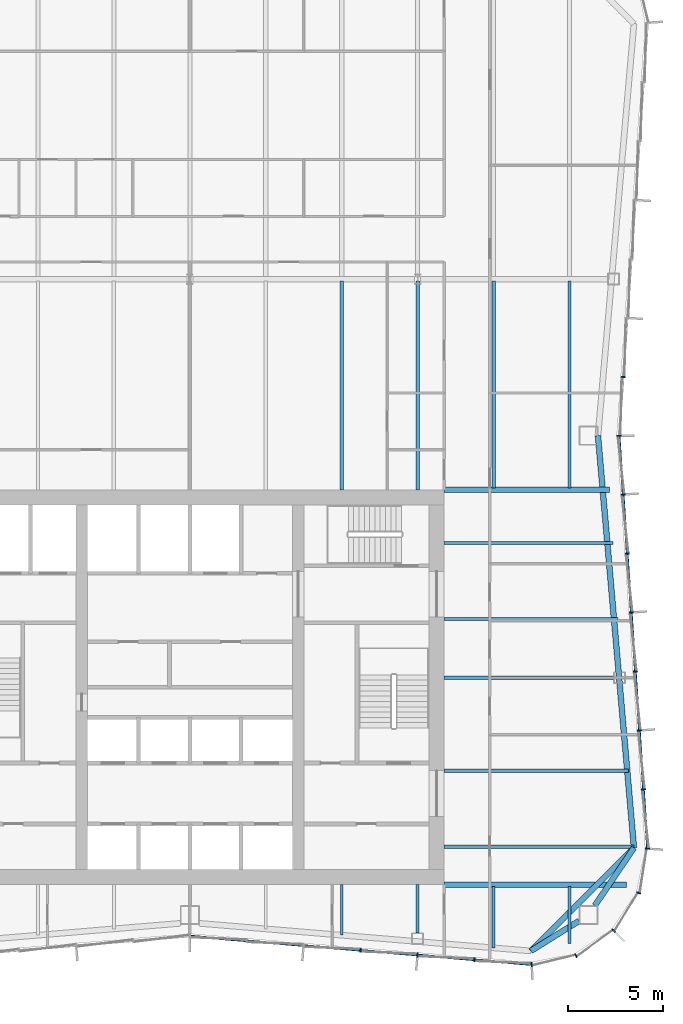
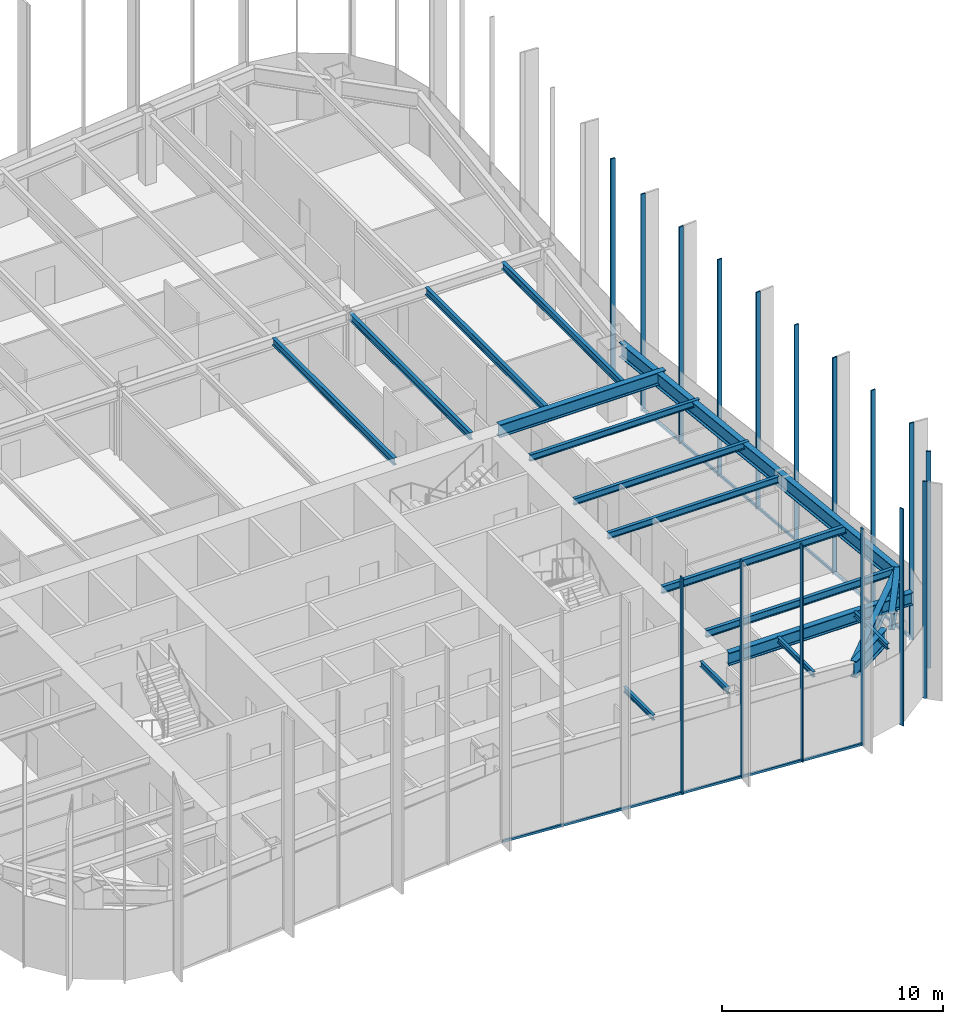
# One storey, part 5 of 15: 19 beams, 18 members, 3 elements without a shape of their own.
"""IFC4 building model written with IfcOpenShell, lengths in metres."""

from ifc_helpers import new_model, si_unit, direction, frame, origin, origin_2d, place, context, subcontext, project, spatial, rectangle, i_section, extrude, material, material_profile, profile_set, type_object, element, aggregate, save


model = new_model("IFC4")

# Units and contexts
model_context = context("Model", 3, precision=1e-05, world=origin(), true_north=direction((0.0, 1.0)))
body_context = subcontext(model_context, "Body", "Model", "MODEL_VIEW")
ifc_project = project(units=[si_unit("LENGTHUNIT", "METRE"), si_unit("AREAUNIT", "SQUARE_METRE"), si_unit("VOLUMEUNIT", "CUBIC_METRE"), si_unit("PLANEANGLEUNIT", "RADIAN"), si_unit("MASSUNIT", "GRAM", prefix="KILO")], contexts=[model_context])

# Site, building, storey
site_placement = place(None, origin())
site = spatial("IfcSite", under=ifc_project, at=site_placement, CompositionType="ELEMENT")
building_placement = place(site_placement, origin())
building = spatial("IfcBuilding", under=site, at=building_placement, Name="Verdant Reach Tower", CompositionType="ELEMENT")
storey_placement = place(building_placement, frame((0.0, 0.0, 238.0)))
storey = spatial("IfcBuildingStorey", under=building, at=storey_placement, Name="L54", CompositionType="ELEMENT", Elevation=238.0)

# Curtain wall, members
ifc_material_1 = material(Name="Anodised aluminium", Category="aluminium")
curtain_wall_type = type_object("IfcCurtainWallType", Name="EN-CW SYSTEM Z4", PredefinedType="NOTDEFINED", material=ifc_material_1)
curtain_wall_1_placement = place(storey_placement, origin())
curtain_wall_1 = element("IfcCurtainWall", 1, at=curtain_wall_1_placement, inside=storey, type_object=curtain_wall_type, Name="Curtain wall south-east corner, L54", PredefinedType="NOTDEFINED")
ifc_material_profile_1 = material_profile(ifc_material_1, rectangle(XDim=0.22412109375, YDim=0.068115234375, at=origin_2d()), Name="Mullion 68x224")
ifc_profile_set_1 = profile_set([ifc_material_profile_1], Name="Anodised aluminium")
member_type_1 = type_object("IfcMemberType", Name="EN-MULLION Z4", PredefinedType="MULLION", material=ifc_profile_set_1)
member_1_placement = place(storey_placement, frame((18.00634765625, 13.38818359375, -0.35009765625), z_axis=(0.0, 0.0, 1.0), x_axis=(0.056569187765, -0.998398681387, 0.0)))
member_1 = element("IfcMember", 2, at=member_1_placement, type_object=member_type_1, Name="Mullion south-east corner 1, L54", PredefinedType="MULLION", context=body_context, shape_type="SweptSolid", body=[
    extrude(rectangle(XDim=0.22412109375, YDim=0.068115234375, at=origin_2d()), origin(), (0.0, 0.0, 1.0), 12.0),
])
member_2_placement = place(storey_placement, frame((20.3388671875, 13.853271484375, -0.35009765625), z_axis=(0.0, 0.0, 1.0), x_axis=(0.382693853776, -0.923875215753, 0.0)))
member_2 = element("IfcMember", 3, at=member_2_placement, type_object=member_type_1, Name="Mullion south-east corner 2, L54", PredefinedType="MULLION", context=body_context, shape_type="SweptSolid", body=[
    extrude(rectangle(XDim=0.22412109375, YDim=0.068115234375, at=origin_2d()), origin(), (0.0, 0.0, 1.0), 12.0),
])
member_3_placement = place(storey_placement, frame((22.32177734375, 15.17822265625, -0.35009765625), z_axis=(0.0, 0.0, 1.0), x_axis=(0.707106781187, -0.707106781187, 0.0)))
member_3 = element("IfcMember", 4, at=member_3_placement, type_object=member_type_1, Name="Mullion south-east corner 3, L54", PredefinedType="MULLION", context=body_context, shape_type="SweptSolid", body=[
    extrude(rectangle(XDim=0.22412109375, YDim=0.068115234375, at=origin_2d()), origin(), (0.0, 0.0, 1.0), 12.0),
])
member_4_placement = place(storey_placement, frame((23.646728515625, 17.1611328125, -0.35009765625), z_axis=(0.0, 0.0, 1.0), x_axis=(0.923875215753, -0.382693853776, 0.0)))
member_4 = element("IfcMember", 5, at=member_4_placement, type_object=member_type_1, Name="Mullion south-east corner 4, L54", PredefinedType="MULLION", context=body_context, shape_type="SweptSolid", body=[
    extrude(rectangle(XDim=0.22412109375, YDim=0.068115234375, at=origin_2d()), origin(), (0.0, 0.0, 1.0), 12.0),
])
aggregate(curtain_wall_1, [member_1, member_2, member_3, member_4])

curtain_wall_2_placement = place(storey_placement, origin())
curtain_wall_2 = element("IfcCurtainWall", 6, at=curtain_wall_2_placement, inside=storey, type_object=curtain_wall_type, Name="Curtain wall east, L54", PredefinedType="NOTDEFINED")
member_5_placement = place(storey_placement, frame((24.11181640625, 19.492919921875, -0.35009765625), z_axis=(0.0, 0.0, 1.0), x_axis=(0.997969180898, -0.063698618332, 0.0)))
member_5 = element("IfcMember", 7, at=member_5_placement, type_object=member_type_1, Name="Mullion east face part 1 1, L54", PredefinedType="MULLION", context=body_context, shape_type="SweptSolid", body=[
    extrude(rectangle(XDim=0.22412109375, YDim=0.068115234375, at=origin_2d()), origin(), (0.0, 0.0, 1.0), 12.0),
])
member_6_placement = place(storey_placement, frame((23.8974609375, 22.61474609375, -0.35009765625), z_axis=(0.0, 0.0, 1.0), x_axis=(0.997630328423, 0.068802091615, 0.0)))
member_6 = element("IfcMember", 8, at=member_6_placement, type_object=member_type_1, Name="Mullion east face part 1 2, L54", PredefinedType="MULLION", context=body_context, shape_type="SweptSolid", body=[
    extrude(rectangle(XDim=0.22412109375, YDim=0.068115234375, at=origin_2d()), origin(), (0.0, 0.0, 1.0), 12.0),
])
member_7_placement = place(storey_placement, frame((23.68310546875, 25.721923828125, -0.35009765625), z_axis=(0.0, 0.0, 1.0), x_axis=(0.997630328423, 0.068802091615, 0.0)))
member_7 = element("IfcMember", 9, at=member_7_placement, type_object=member_type_1, Name="Mullion east face part 1 3, L54", PredefinedType="MULLION", context=body_context, shape_type="SweptSolid", body=[
    extrude(rectangle(XDim=0.22412109375, YDim=0.068115234375, at=origin_2d()), origin(), (0.0, 0.0, 1.0), 12.0),
])
member_8_placement = place(storey_placement, frame((23.468994140625, 28.8291015625, -0.35009765625), z_axis=(0.0, 0.0, 1.0), x_axis=(0.997630328423, 0.068802091615, 0.0)))
member_8 = element("IfcMember", 10, at=member_8_placement, type_object=member_type_1, Name="Mullion east face part 1 4, L54", PredefinedType="MULLION", context=body_context, shape_type="SweptSolid", body=[
    extrude(rectangle(XDim=0.22412109375, YDim=0.068115234375, at=origin_2d()), origin(), (0.0, 0.0, 1.0), 12.0),
])
member_9_placement = place(storey_placement, frame((23.254638671875, 31.936279296875, -0.35009765625), z_axis=(0.0, 0.0, 1.0), x_axis=(0.997630328423, 0.068802091615, 0.0)))
member_9 = element("IfcMember", 11, at=member_9_placement, type_object=member_type_1, Name="Mullion east face part 1 5, L54", PredefinedType="MULLION", context=body_context, shape_type="SweptSolid", body=[
    extrude(rectangle(XDim=0.22412109375, YDim=0.068115234375, at=origin_2d()), origin(), (0.0, 0.0, 1.0), 12.0),
])
member_10_placement = place(storey_placement, frame((23.040283203125, 35.04345703125, -0.35009765625), z_axis=(0.0, 0.0, 1.0), x_axis=(0.997630328423, 0.068802091615, 0.0)))
member_10 = element("IfcMember", 12, at=member_10_placement, type_object=member_type_1, Name="Mullion east face part 1 6, L54", PredefinedType="MULLION", context=body_context, shape_type="SweptSolid", body=[
    extrude(rectangle(XDim=0.22412109375, YDim=0.068115234375, at=origin_2d()), origin(), (0.0, 0.0, 1.0), 12.0),
])
member_11_placement = place(storey_placement, frame((22.825927734375, 38.150634765625, -0.35009765625), z_axis=(0.0, 0.0, 1.0), x_axis=(0.997630328423, 0.068802091615, 0.0)))
member_11 = element("IfcMember", 13, at=member_11_placement, type_object=member_type_1, Name="Mullion east face part 1 7, L54", PredefinedType="MULLION", context=body_context, shape_type="SweptSolid", body=[
    extrude(rectangle(XDim=0.22412109375, YDim=0.068115234375, at=origin_2d()), origin(), (0.0, 0.0, 1.0), 12.0),
])
member_12_placement = place(storey_placement, frame((22.612060546875, 41.25, -0.35009765625), z_axis=(0.0, 0.0, 1.0), x_axis=(1.0, 0.0, 0.0)))
member_12 = element("IfcMember", 14, at=member_12_placement, type_object=member_type_1, Name="Mullion east face part 2 1, L54", PredefinedType="MULLION", context=body_context, shape_type="SweptSolid", body=[
    extrude(rectangle(XDim=0.22412109375, YDim=0.068115234375, at=origin_2d()), origin(), (0.0, 0.0, 1.0), 12.0),
])
member_13_placement = place(storey_placement, frame((22.825927734375, 44.349365234375, -0.35009765625), z_axis=(0.0, 0.0, 1.0), x_axis=(0.997630328423, -0.068802091615, 0.0)))
member_13 = element("IfcMember", 15, at=member_13_placement, type_object=member_type_1, Name="Mullion east face part 2 2, L54", PredefinedType="MULLION", context=body_context, shape_type="SweptSolid", body=[
    extrude(rectangle(XDim=0.22412109375, YDim=0.068115234375, at=origin_2d()), origin(), (0.0, 0.0, 1.0), 12.0),
])

curtain_wall_3_placement = place(storey_placement, origin())
curtain_wall_3 = element("IfcCurtainWall", 16, at=curtain_wall_3_placement, inside=storey, type_object=curtain_wall_type, Name="Curtain wall south, L54", PredefinedType="NOTDEFINED")
member_14_placement = place(storey_placement, frame((8.99072265625, 14.138427734375, -0.35009765625), z_axis=(0.0, 0.0, 1.0), x_axis=(-0.083045479859, -0.996545758244, 0.0)))
member_14 = element("IfcMember", 17, at=member_14_placement, type_object=member_type_1, Name="Mullion south face part 2 4, L54", PredefinedType="MULLION", context=body_context, shape_type="SweptSolid", body=[
    extrude(rectangle(XDim=0.22412109375, YDim=0.068115234375, at=origin_2d()), origin(), (0.0, 0.0, 1.0), 12.0),
])
member_15_placement = place(storey_placement, frame((11.99072265625, 13.888427734375, -0.35009765625), z_axis=(0.0, 0.0, 1.0), x_axis=(-0.083045479859, -0.996545758244, 0.0)))
member_15 = element("IfcMember", 18, at=member_15_placement, type_object=member_type_1, Name="Mullion south face part 2 5, L54", PredefinedType="MULLION", context=body_context, shape_type="SweptSolid", body=[
    extrude(rectangle(XDim=0.22412109375, YDim=0.068115234375, at=origin_2d()), origin(), (0.0, 0.0, 1.0), 12.0),
])
member_16_placement = place(storey_placement, frame((14.99072265625, 13.638427734375, -0.35009765625), z_axis=(0.0, 0.0, 1.0), x_axis=(-0.083045479859, -0.996545758244, 0.0)))
member_16 = element("IfcMember", 19, at=member_16_placement, type_object=member_type_1, Name="Mullion south face part 2 6, L54", PredefinedType="MULLION", context=body_context, shape_type="SweptSolid", body=[
    extrude(rectangle(XDim=0.22412109375, YDim=0.068115234375, at=origin_2d()), origin(), (0.0, 0.0, 1.0), 12.0),
])

# Member
ifc_material_profile_2 = material_profile(ifc_material_1, rectangle(XDim=0.10009765625, YDim=0.1279296875, at=origin_2d()), Name="Transom 128x100")
ifc_profile_set_2 = profile_set([ifc_material_profile_2], Name="Anodised aluminium")
member_type_2 = type_object("IfcMemberType", Name="EN-TRANSOM Z4", PredefinedType="USERDEFINED", material=ifc_profile_set_2)
member_17_placement = place(storey_placement, frame((24.109375, 19.52685546875, -0.285888671875), z_axis=(-0.068770489035, 0.997632507408, 0.0), x_axis=(-0.997632507408, -0.068770489035, 0.0)))
member_17 = element("IfcMember", 20, at=member_17_placement, type_object=member_type_2, Name="Transom east face part 1 1.1, L54", ObjectType="TRANSOM", PredefinedType="USERDEFINED", context=body_context, shape_type="SweptSolid", body=[
    extrude(rectangle(XDim=0.10009765625, YDim=0.1279296875, at=origin_2d()), origin(), (0.0, 0.0, 1.0), 21.74072265625),
])

aggregate(curtain_wall_2, [member_5, member_6, member_7, member_8, member_9, member_10, member_11, member_17, member_12, member_13])

member_18_placement = place(storey_placement, frame((0.033935546875, 14.88525390625, -0.285888671875), z_axis=(0.996549124771, -0.083005071637, 0.0), x_axis=(0.083005071637, 0.996549124771, 0.0)))
member_18 = element("IfcMember", 21, at=member_18_placement, type_object=member_type_2, Name="Transom south face part 2 1.1, L54", ObjectType="TRANSOM", PredefinedType="USERDEFINED", context=body_context, shape_type="SweptSolid", body=[
    extrude(rectangle(XDim=0.10009765625, YDim=0.1279296875, at=origin_2d()), origin(), (0.0, 0.0, 1.0), 18.00048828125),
])

aggregate(curtain_wall_3, [member_14, member_15, member_16, member_18])

# Beams
ifc_material_2 = material(Name="Steel S355", Category="steel")
ifc_material_profile_3 = material_profile(ifc_material_2, i_section(OverallWidth=0.300048828125, OverallDepth=0.699951171875, WebThickness=0.01708984375, FlangeThickness=0.031982421875, FilletRadius=0.027099609375, at=origin_2d()), Name="HEB 700")
ifc_profile_set_3 = profile_set([ifc_material_profile_3], Name="Steel S355")
beam_type_1 = type_object("IfcBeamType", Name="ST-BEAM-HEB700", PredefinedType="BEAM", material=ifc_profile_set_3)
beam_1_placement = place(storey_placement, frame((13.39990234375, 38.39990234375, 3.52001953125), z_axis=(1.0, 0.0, 0.0), x_axis=(0.0, 1.0, 0.0)))
element("IfcBeam", 22, at=beam_1_placement, inside=storey, type_object=beam_type_1, Name="Trimmer beam, L54", PredefinedType="BEAM", context=body_context, shape_type="SweptSolid", body=[
    extrude(i_section(OverallWidth=0.300048828125, OverallDepth=0.699951171875, WebThickness=0.01708984375, FlangeThickness=0.031982421875, FilletRadius=0.027099609375, at=origin_2d()), origin(), (0.0, 0.0, 1.0), 8.6953125),
])
beam_2_placement = place(storey_placement, frame((13.39990234375, 17.60009765625, 3.52001953125), z_axis=(1.0, 0.0, 0.0), x_axis=(0.0, 1.0, 0.0)))
element("IfcBeam", 23, at=beam_2_placement, inside=storey, type_object=beam_type_1, Name="Trimmer beam, L54", PredefinedType="BEAM", context=body_context, shape_type="SweptSolid", body=[
    extrude(i_section(OverallWidth=0.300048828125, OverallDepth=0.699951171875, WebThickness=0.01708984375, FlangeThickness=0.031982421875, FilletRadius=0.027099609375, at=origin_2d()), origin(), (0.0, 0.0, 1.0), 9.6103515625),
])
ifc_material_profile_4 = material_profile(ifc_material_2, i_section(OverallWidth=0.302001953125, OverallDepth=0.909912109375, WebThickness=0.02099609375, FlangeThickness=0.0400390625, FilletRadius=0.030029296875, at=origin_2d()), Name="HEM 900")
ifc_profile_set_4 = profile_set([ifc_material_profile_4], Name="Steel S355")
beam_type_2 = type_object("IfcBeamType", Name="ST-BEAM-HEM900", PredefinedType="BEAM", material=ifc_profile_set_4)
beam_3_placement = place(storey_placement, frame((20.5, 15.687744140625, 3.4150390625), z_axis=(-0.848163521635, -0.529734500073, 0.0), x_axis=(0.529734500073, -0.848163521635, 0.0)))
element("IfcBeam", 24, at=beam_3_placement, inside=storey, type_object=beam_type_2, Name="Column stub beam, L54", PredefinedType="BEAM", context=body_context, shape_type="SweptSolid", body=[
    extrude(i_section(OverallWidth=0.302001953125, OverallDepth=0.909912109375, WebThickness=0.02099609375, FlangeThickness=0.0400390625, FilletRadius=0.030029296875, at=origin_2d()), origin(), (0.0, 0.0, 1.0), 2.98779296875),
])
beam_4_placement = place(storey_placement, frame((21.33837890625, 16.5, 3.4150390625), z_axis=(0.560703975309, 0.828016335631, 0.0), x_axis=(-0.828016335631, 0.560703975309, 0.0)))
element("IfcBeam", 25, at=beam_4_placement, inside=storey, type_object=beam_type_2, Name="Column stub beam, L54", PredefinedType="BEAM", context=body_context, shape_type="SweptSolid", body=[
    extrude(i_section(OverallWidth=0.302001953125, OverallDepth=0.909912109375, WebThickness=0.02099609375, FlangeThickness=0.0400390625, FilletRadius=0.030029296875, at=origin_2d()), origin(), (0.0, 0.0, 1.0), 3.669677734375),
])
ifc_material_profile_5 = material_profile(ifc_material_2, i_section(OverallWidth=0.14990234375, OverallDepth=0.300048828125, WebThickness=0.007080078125, FlangeThickness=0.0107421875, FilletRadius=0.014892578125, at=origin_2d()), Name="IPE 300")
ifc_profile_set_5 = profile_set([ifc_material_profile_5], Name="Steel S355")
beam_type_3 = type_object("IfcBeamType", Name="ST-JOIST-IPE300", PredefinedType="JOIST", material=ifc_profile_set_5)
beam_5_placement = place(storey_placement, frame((8.0, 17.60009765625, 3.719970703125), z_axis=(0.0, -1.0, 0.0), x_axis=(1.0, 0.0, 0.0)))
element("IfcBeam", 26, at=beam_5_placement, inside=storey, type_object=beam_type_3, Name="Floor joist, L54", PredefinedType="JOIST", context=body_context, shape_type="SweptSolid", body=[
    extrude(i_section(OverallWidth=0.14990234375, OverallDepth=0.300048828125, WebThickness=0.007080078125, FlangeThickness=0.0107421875, FilletRadius=0.014892578125, at=origin_2d()), origin(), (0.0, 0.0, 1.0), 2.664794921875),
])
beam_6_placement = place(storey_placement, frame((12.0, 17.60009765625, 3.719970703125), z_axis=(0.0, -1.0, 0.0), x_axis=(1.0, 0.0, 0.0)))
element("IfcBeam", 27, at=beam_6_placement, inside=storey, type_object=beam_type_3, Name="Floor joist, L54", PredefinedType="JOIST", context=body_context, shape_type="SweptSolid", body=[
    extrude(i_section(OverallWidth=0.14990234375, OverallDepth=0.300048828125, WebThickness=0.007080078125, FlangeThickness=0.0107421875, FilletRadius=0.014892578125, at=origin_2d()), origin(), (0.0, 0.0, 1.0), 2.550048828125),
])
beam_7_placement = place(storey_placement, frame((16.0, 17.5, 3.719970703125), z_axis=(0.0, -1.0, 0.0), x_axis=(1.0, 0.0, 0.0)))
element("IfcBeam", 28, at=beam_7_placement, inside=storey, type_object=beam_type_3, Name="Floor joist, L54", PredefinedType="JOIST", context=body_context, shape_type="SweptSolid", body=[
    extrude(i_section(OverallWidth=0.14990234375, OverallDepth=0.300048828125, WebThickness=0.007080078125, FlangeThickness=0.0107421875, FilletRadius=0.014892578125, at=origin_2d()), origin(), (0.0, 0.0, 1.0), 3.231201171875),
])
beam_8_placement = place(storey_placement, frame((20.0, 17.5, 3.719970703125), z_axis=(0.0, -1.0, 0.0), x_axis=(1.0, 0.0, 0.0)))
element("IfcBeam", 29, at=beam_8_placement, inside=storey, type_object=beam_type_3, Name="Floor joist, L54", PredefinedType="JOIST", context=body_context, shape_type="SweptSolid", body=[
    extrude(i_section(OverallWidth=0.14990234375, OverallDepth=0.300048828125, WebThickness=0.007080078125, FlangeThickness=0.0107421875, FilletRadius=0.014892578125, at=origin_2d()), origin(), (0.0, 0.0, 1.0), 2.990478515625),
])
ifc_material_profile_6 = material_profile(ifc_material_2, i_section(OverallWidth=0.169921875, OverallDepth=0.360107421875, WebThickness=0.008056640625, FlangeThickness=0.0126953125, FilletRadius=0.01806640625, at=origin_2d()), Name="IPE 360")
ifc_profile_set_6 = profile_set([ifc_material_profile_6], Name="Steel S355")
beam_type_4 = type_object("IfcBeamType", Name="ST-JOIST-IPE360", PredefinedType="JOIST", material=ifc_profile_set_6)
beam_9_placement = place(storey_placement, frame((13.39990234375, 28.5, 3.68994140625), z_axis=(1.0, 0.0, 0.0), x_axis=(0.0, 1.0, 0.0)))
element("IfcBeam", 30, at=beam_9_placement, inside=storey, type_object=beam_type_4, Name="Floor joist, L54", PredefinedType="JOIST", context=body_context, shape_type="SweptSolid", body=[
    extrude(i_section(OverallWidth=0.169921875, OverallDepth=0.360107421875, WebThickness=0.008056640625, FlangeThickness=0.0126953125, FilletRadius=0.01806640625, at=origin_2d()), origin(), (0.0, 0.0, 1.0), 8.929443359375),
])
beam_10_placement = place(storey_placement, frame((13.39990234375, 31.60009765625, 3.68994140625), z_axis=(1.0, 0.0, 0.0), x_axis=(0.0, 1.0, 0.0)))
element("IfcBeam", 31, at=beam_10_placement, inside=storey, type_object=beam_type_4, Name="Floor joist, L54", PredefinedType="JOIST", context=body_context, shape_type="SweptSolid", body=[
    extrude(i_section(OverallWidth=0.169921875, OverallDepth=0.360107421875, WebThickness=0.008056640625, FlangeThickness=0.0126953125, FilletRadius=0.01806640625, at=origin_2d()), origin(), (0.0, 0.0, 1.0), 9.164306640625),
])
beam_11_placement = place(storey_placement, frame((13.39990234375, 35.60009765625, 3.68994140625), z_axis=(1.0, 0.0, 0.0), x_axis=(0.0, 1.0, 0.0)))
element("IfcBeam", 32, at=beam_11_placement, inside=storey, type_object=beam_type_4, Name="Floor joist, L54", PredefinedType="JOIST", context=body_context, shape_type="SweptSolid", body=[
    extrude(i_section(OverallWidth=0.169921875, OverallDepth=0.360107421875, WebThickness=0.008056640625, FlangeThickness=0.0126953125, FilletRadius=0.01806640625, at=origin_2d()), origin(), (0.0, 0.0, 1.0), 8.88818359375),
])
ifc_material_profile_7 = material_profile(ifc_material_2, i_section(OverallWidth=0.179931640625, OverallDepth=0.39990234375, WebThickness=0.008544921875, FlangeThickness=0.013427734375, FilletRadius=0.02099609375, at=origin_2d()), Name="IPE 400")
ifc_profile_set_7 = profile_set([ifc_material_profile_7], Name="Steel S355")
beam_type_5 = type_object("IfcBeamType", Name="ST-JOIST-IPE400", PredefinedType="JOIST", material=ifc_profile_set_7)
for number, where, z_axis, x_axis, name in (
    (33, (8.0, 38.39990234375, 3.669921875), (0.0, 1.0, 0.0), (-1.0, 0.0, 0.0), "Floor joist, L54"),
    (34, (12.0, 38.39990234375, 3.669921875), (0.0, 1.0, 0.0), (-1.0, 0.0, 0.0), "Floor joist, L54"),
):
    element("IfcBeam", number, at=place(storey_placement, frame(where, z_axis=z_axis, x_axis=x_axis)), inside=storey, type_object=beam_type_5, Name=name, PredefinedType="JOIST", context=body_context, shape_type="SweptSolid", body=[
        extrude(i_section(OverallWidth=0.179931640625, OverallDepth=0.39990234375, WebThickness=0.008544921875, FlangeThickness=0.013427734375, FilletRadius=0.02099609375, at=origin_2d()), origin(), (0.0, 0.0, 1.0), 11.0),
    ])
for number, where, z_axis, x_axis, name in (
    (35, (16.0, 38.5, 3.669921875), (0.0, 1.0, 0.0), (-1.0, 0.0, 0.0), "Floor joist, L54"),
    (36, (20.0, 38.5, 3.669921875), (0.0, 1.0, 0.0), (-1.0, 0.0, 0.0), "Floor joist, L54"),
):
    element("IfcBeam", number, at=place(storey_placement, frame(where, z_axis=z_axis, x_axis=x_axis)), inside=storey, type_object=beam_type_5, Name=name, PredefinedType="JOIST", context=body_context, shape_type="SweptSolid", body=[
        extrude(i_section(OverallWidth=0.179931640625, OverallDepth=0.39990234375, WebThickness=0.008544921875, FlangeThickness=0.013427734375, FilletRadius=0.02099609375, at=origin_2d()), origin(), (0.0, 0.0, 1.0), 10.89990234375),
    ])
beam_12_placement = place(storey_placement, frame((13.39990234375, 19.60009765625, 3.669921875), z_axis=(1.0, 0.0, 0.0), x_axis=(0.0, 1.0, 0.0)))
element("IfcBeam", 37, at=beam_12_placement, inside=storey, type_object=beam_type_5, Name="Floor joist, L54", PredefinedType="JOIST", context=body_context, shape_type="SweptSolid", body=[
    extrude(i_section(OverallWidth=0.179931640625, OverallDepth=0.39990234375, WebThickness=0.008544921875, FlangeThickness=0.013427734375, FilletRadius=0.02099609375, at=origin_2d()), origin(), (0.0, 0.0, 1.0), 9.99169921875),
])
beam_13_placement = place(storey_placement, frame((13.39990234375, 23.60009765625, 3.669921875), z_axis=(1.0, 0.0, 0.0), x_axis=(0.0, 1.0, 0.0)))
element("IfcBeam", 38, at=beam_13_placement, inside=storey, type_object=beam_type_5, Name="Floor joist, L54", PredefinedType="JOIST", context=body_context, shape_type="SweptSolid", body=[
    extrude(i_section(OverallWidth=0.179931640625, OverallDepth=0.39990234375, WebThickness=0.008544921875, FlangeThickness=0.013427734375, FilletRadius=0.02099609375, at=origin_2d()), origin(), (0.0, 0.0, 1.0), 9.7158203125),
])
ifc_material_profile_8 = material_profile(ifc_material_2, i_section(OverallWidth=0.300048828125, OverallDepth=0.800048828125, WebThickness=0.017578125, FlangeThickness=0.032958984375, FilletRadius=0.030029296875, at=origin_2d()), Name="HEB 800")
ifc_profile_set_8 = profile_set([ifc_material_profile_8], Name="Steel S355")
beam_type_6 = type_object("IfcBeamType", Name="ST-SPANDREL-HEB800", PredefinedType="SPANDREL", material=ifc_profile_set_8)
beam_14_placement = place(storey_placement, frame((21.5, 41.25, 3.469970703125), z_axis=(0.086996024331, -0.996208658741, 0.0), x_axis=(0.996208658741, 0.086996024331, 0.0)))
element("IfcBeam", 39, at=beam_14_placement, inside=storey, type_object=beam_type_6, Name="Edge beam, L54", PredefinedType="SPANDREL", context=body_context, shape_type="SweptSolid", body=[
    extrude(i_section(OverallWidth=0.300048828125, OverallDepth=0.800048828125, WebThickness=0.017578125, FlangeThickness=0.032958984375, FilletRadius=0.030029296875, at=origin_2d()), origin(), (0.0, 0.0, 1.0), 21.7939453125),
])
ifc_material_profile_9 = material_profile(ifc_material_2, i_section(OverallWidth=0.302001953125, OverallDepth=0.909912109375, WebThickness=0.02099609375, FlangeThickness=0.0400390625, FilletRadius=0.030029296875, at=origin_2d()), Name="HEM 900")
ifc_profile_set_9 = profile_set([ifc_material_profile_9], Name="Steel S355")
beam_type_7 = type_object("IfcBeamType", Name="ST-SPANDREL-HEM900", PredefinedType="SPANDREL", material=ifc_profile_set_9)
beam_15_placement = place(storey_placement, frame((23.39599609375, 19.53857421875, 3.4150390625), z_axis=(-0.706884275642, -0.707329216738, 0.0), x_axis=(0.707329216738, -0.706884275642, 0.0)))
element("IfcBeam", 40, at=beam_15_placement, inside=storey, type_object=beam_type_7, Name="Edge beam, L54", PredefinedType="SPANDREL", context=body_context, shape_type="SweptSolid", body=[
    extrude(i_section(OverallWidth=0.302001953125, OverallDepth=0.909912109375, WebThickness=0.02099609375, FlangeThickness=0.0400390625, FilletRadius=0.030029296875, at=origin_2d()), origin(), (0.0, 0.0, 1.0), 7.681884765625),
])

save(model, "model.ifc")
